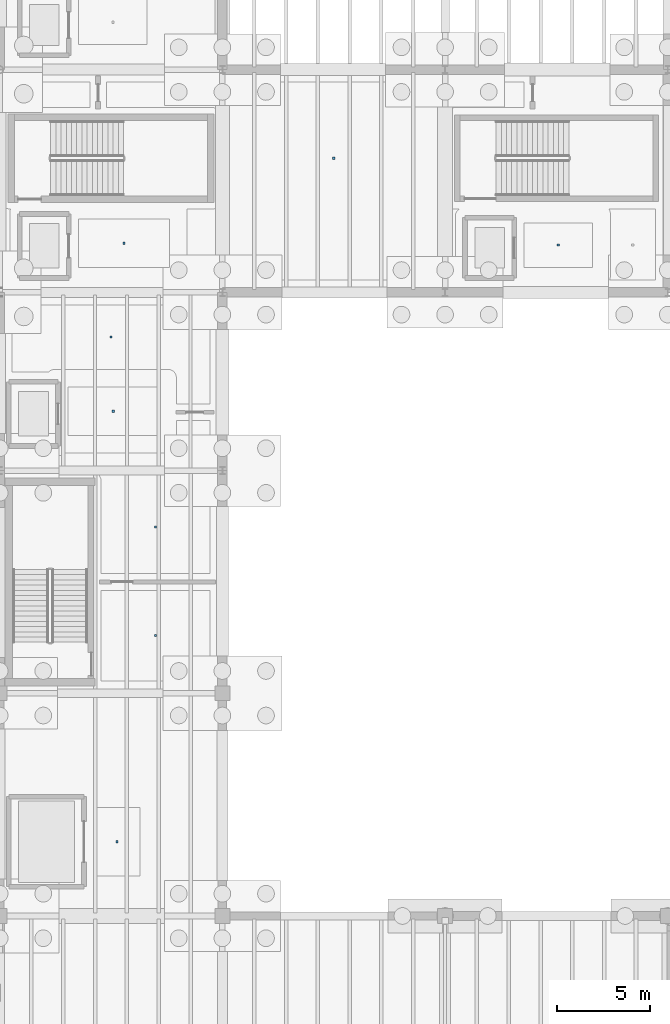
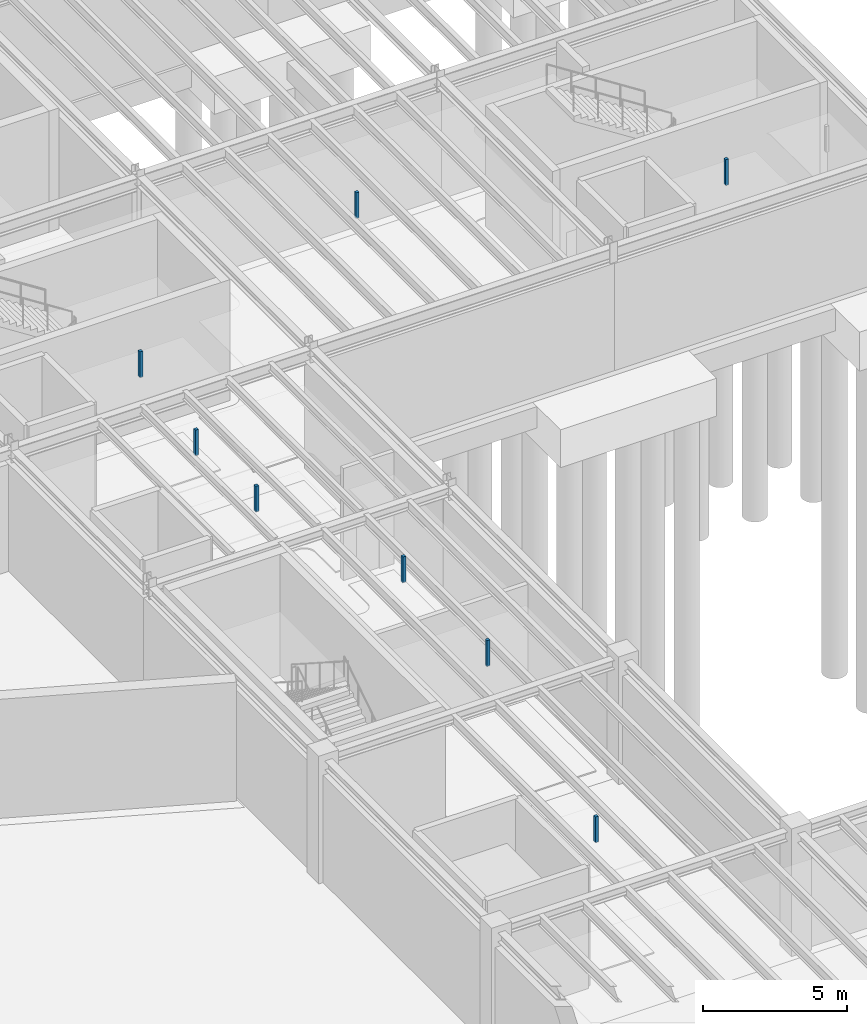
# One storey, part 46 of 67: 8 discrete accessories.
"""IFC4 building model written with IfcOpenShell, lengths in metres."""

from ifc_helpers import new_model, si_unit, direction, frame, origin, origin_2d, place, context, subcontext, project, spatial, rectangle, extrude, material, type_object, element, save


model = new_model("IFC4")

# Units and contexts
model_context = context("Model", 3, precision=1e-05, world=origin(), true_north=direction((0.0, 1.0)))
body_context = subcontext(model_context, "Body", "Model", "MODEL_VIEW")
ifc_project = project(units=[si_unit("LENGTHUNIT", "METRE"), si_unit("AREAUNIT", "SQUARE_METRE"), si_unit("VOLUMEUNIT", "CUBIC_METRE"), si_unit("PLANEANGLEUNIT", "RADIAN"), si_unit("MASSUNIT", "GRAM", prefix="KILO")], contexts=[model_context])

# Site, building, storey
site_placement = place(None, origin())
site = spatial("IfcSite", under=ifc_project, at=site_placement, CompositionType="ELEMENT")
building_placement = place(site_placement, origin())
building = spatial("IfcBuilding", under=site, at=building_placement, Name="Zlatogorsky Bluff Art Gallery", CompositionType="ELEMENT")
storey_placement = place(building_placement, frame((0.0, 0.0, -5.39990234375)))
storey = spatial("IfcBuildingStorey", under=building, at=storey_placement, Name="B1", CompositionType="ELEMENT", Elevation=-5.39990234375)

# Discrete accessories
ifc_material = material(Name="Steel S355", Category="steel")
discrete_accessory_type = type_object("IfcDiscreteAccessoryType", Name="Stainless Facade Fin Bracket BRK-01", PredefinedType="BRACKET", material=ifc_material)
for number, where, z_axis, x_axis, name in (
    (1, (126.1201171875, 77.60009765625, 4.0546875), (0.0, 0.0, 1.0), (1.0, 0.0, 0.0), "Acoustic ceiling suspension hanger B1-FL-1-LB"),
    (2, (126.699951171875, 86.64990234375, 4.0546875), (0.0, 0.0, 1.0), (1.0, 0.0, 0.0), "Acoustic ceiling suspension hanger B1-FL-2-LB"),
    (3, (150.10009765625, 86.550048828125, 4.0546875), (0.0, 0.0, 1.0), (1.0, 0.0, 0.0), "Acoustic ceiling suspension hanger B1-PL-2-LB"),
    (4, (126.320068359375, 54.39990234375, 4.0546875), (0.0, 0.0, 1.0), (1.0, 0.0, 0.0), "Acoustic ceiling suspension hanger B1-GL-1-LB"),
    (5, (138.0, 91.22509765625, 4.0546875), (0.0, 0.0, 1.0), (1.0, 0.0, 0.0), "Acoustic ceiling suspension hanger B1-S3-13"),
    (6, (128.39501953125, 65.510009765625, 4.0546875), (0.0, 0.0, 1.0), (1.0, 0.0, 0.0), "Acoustic ceiling suspension hanger B1-C2-11"),
    (7, (128.39501953125, 71.3505859375, 4.0546875), (0.0, 0.0, 1.0), (1.0, 0.0, 0.0), "Acoustic ceiling suspension hanger B1-C2-12"),
    (8, (126.0, 81.590087890625, 4.0546875), (0.0, 0.0, 1.0), (1.0, 0.0, 0.0), "Acoustic ceiling suspension hanger B1-C2-13"),
):
    element("IfcDiscreteAccessory", number, at=place(storey_placement, frame(where, z_axis=z_axis, x_axis=x_axis)), inside=storey, type_object=discrete_accessory_type, Name=name, PredefinedType="BRACKET", context=body_context, shape_type="SweptSolid", body=[
        extrude(rectangle(XDim=0.1201171875, YDim=0.1201171875, at=origin_2d()), origin(), (0.0, 0.0, 1.0), 1.090087890625),
    ])

save(model, "model.ifc")
